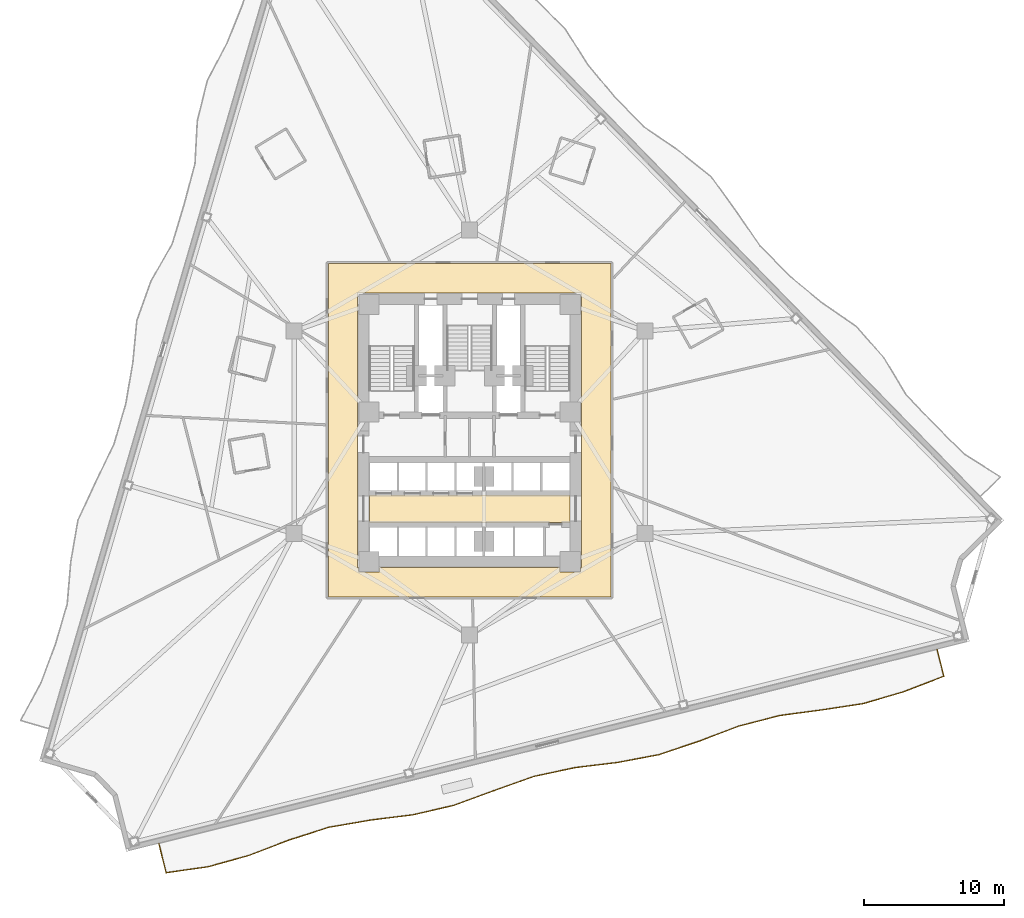
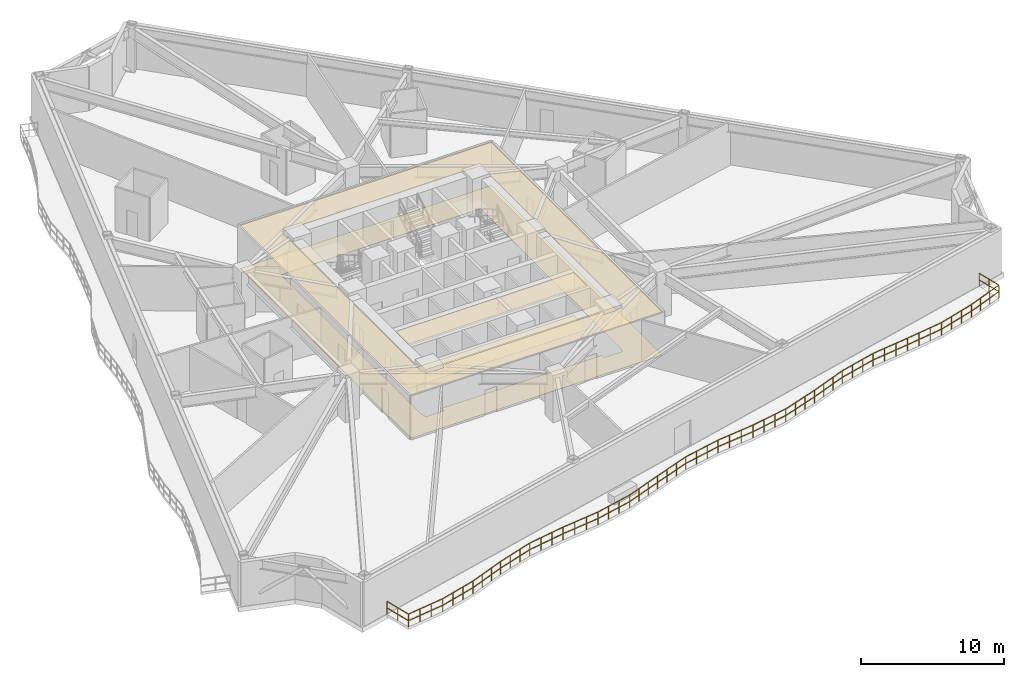
# One storey, part 10 of 13: 4 coverings, 1 railing.
"""IFC4 building model written with IfcOpenShell, lengths in metres."""

from ifc_helpers import new_model, si_unit, direction, frame, origin, origin_2d, place, context, subcontext, project, spatial, polyline, rectangle, outline, extrude, material, layer, layer_set, type_object, element, save


model = new_model("IFC4")

# Units and contexts
model_context = context("Model", 3, precision=1e-05, world=origin(), true_north=direction((0.0, 1.0)))
body_context = subcontext(model_context, "Body", "Model", "MODEL_VIEW")
ifc_project = project(units=[si_unit("LENGTHUNIT", "METRE"), si_unit("AREAUNIT", "SQUARE_METRE"), si_unit("VOLUMEUNIT", "CUBIC_METRE"), si_unit("PLANEANGLEUNIT", "RADIAN"), si_unit("MASSUNIT", "GRAM", prefix="KILO")], contexts=[model_context])

# Site, building, storey
site_placement = place(None, origin())
site = spatial("IfcSite", under=ifc_project, at=site_placement, CompositionType="ELEMENT")
building_placement = place(site_placement, origin())
building = spatial("IfcBuilding", under=site, at=building_placement, Name="Apsidion Concourse Tower", CompositionType="ELEMENT")
storey_placement = place(building_placement, frame((0.0, 0.0, 95.0)))
storey = spatial("IfcBuildingStorey", under=building, at=storey_placement, Name="L21", CompositionType="ELEMENT", Elevation=95.0)

# Coverings
ifc_material_1 = material(Name="Acoustic mineral fibre ceiling")
ifc_layer_1 = layer(ifc_material_1, 0.0400390625)
ifc_layer_set_1 = layer_set([ifc_layer_1], Name="Acoustic mineral fibre ceiling")
covering_type_1 = type_object("IfcCoveringType", Name="COV-CEIL-40", PredefinedType="CEILING", material=ifc_layer_set_1)
covering_1_placement = place(storey_placement, frame((0.0, 0.0, 3.64990234375)))
element("IfcCovering", 1, at=covering_1_placement, inside=storey, type_object=covering_type_1, Name="L21 Acoustic Ceiling Grid 1", PredefinedType="CEILING", context=body_context, shape_type="SweptSolid", body=[
    extrude(outline(polyline([(-7.179931640625, -6.449951171875), (-7.179931640625, -4.47998046875), (7.179931640625, -4.47998046875), (7.179931640625, -6.449951171875), (-7.179931640625, -6.449951171875)])), origin(), (0.0, 0.0, 1.0), 0.0400390625),
])
covering_2_placement = place(storey_placement, frame((0.0, 0.0, 3.64990234375)))
element("IfcCovering", 2, at=covering_2_placement, inside=storey, type_object=covering_type_1, Name="L21 Acoustic Ceiling Grid 2", PredefinedType="CEILING", context=body_context, shape_type="SweptSolid", body=[
    extrude(outline(polyline([(10.1201171875, 12.070068359375), (10.1201171875, -11.77001953125), (-10.1201171875, -11.77001953125), (-10.1201171875, 12.070068359375), (10.1201171875, 12.070068359375)]), holes=[polyline([(-8.02001953125, -9.669921875), (-7.945068359375, -9.669921875), (-7.945068359375, -9.97509765625), (-7.94482421875, -9.97705078125), (-7.944580078125, -9.97900390625), (-7.944091796875, -9.980712890625), (-7.943603515625, -9.982666015625), (-7.942626953125, -9.984375), (-7.941650390625, -9.986083984375), (-7.9404296875, -9.98779296875), (-7.939208984375, -9.989013671875), (-7.937744140625, -9.990478515625), (-7.93603515625, -9.99169921875), (-7.934326171875, -9.99267578125), (-7.9326171875, -9.993408203125), (-7.930908203125, -9.994140625), (-7.928955078125, -9.99462890625), (-7.927001953125, -9.994873046875), (-7.925048828125, -9.9951171875), (-6.47509765625, -9.9951171875), (-6.472900390625, -9.994873046875), (-6.47119140625, -9.99462890625), (-6.46923828125, -9.994140625), (-6.46728515625, -9.993408203125), (-6.465576171875, -9.99267578125), (-6.4638671875, -9.99169921875), (-6.46240234375, -9.990478515625), (-6.4609375, -9.989013671875), (-6.45947265625, -9.98779296875), (-6.45849609375, -9.986083984375), (-6.45751953125, -9.984375), (-6.45654296875, -9.982666015625), (-6.455810546875, -9.980712890625), (-6.455322265625, -9.97900390625), (-6.455078125, -9.97705078125), (-6.455078125, -9.97509765625), (-6.455078125, -9.669921875), (6.455078125, -9.669921875), (6.455078125, -9.97509765625), (6.455078125, -9.97705078125), (6.455322265625, -9.97900390625), (6.455810546875, -9.980712890625), (6.45654296875, -9.982666015625), (6.45751953125, -9.984375), (6.45849609375, -9.986083984375), (6.45947265625, -9.98779296875), (6.4609375, -9.989013671875), (6.46240234375, -9.990478515625), (6.4638671875, -9.99169921875), (6.465576171875, -9.99267578125), (6.46728515625, -9.993408203125), (6.46923828125, -9.994140625), (6.47119140625, -9.99462890625), (6.472900390625, -9.994873046875), (6.47509765625, -9.9951171875), (7.925048828125, -9.9951171875), (7.927001953125, -9.994873046875), (7.928955078125, -9.99462890625), (7.930908203125, -9.994140625), (7.9326171875, -9.993408203125), (7.934326171875, -9.99267578125), (7.93603515625, -9.99169921875), (7.937744140625, -9.990478515625), (7.939208984375, -9.989013671875), (7.9404296875, -9.98779296875), (7.941650390625, -9.986083984375), (7.942626953125, -9.984375), (7.943603515625, -9.982666015625), (7.944091796875, -9.980712890625), (7.944580078125, -9.97900390625), (7.94482421875, -9.97705078125), (7.945068359375, -9.97509765625), (7.945068359375, -9.669921875), (8.02001953125, -9.669921875), (8.02001953125, 9.969970703125), (-8.02001953125, 9.969970703125), (-8.02001953125, -9.669921875)])]), origin(), (0.0, 0.0, 1.0), 0.0400390625),
])
ifc_material_2 = material(Name="Honed travertine floor finish", Category="masonry")
ifc_layer_2 = layer(ifc_material_2, 0.02001953125)
ifc_layer_set_2 = layer_set([ifc_layer_2], Name="Honed travertine floor finish")
covering_type_2 = type_object("IfcCoveringType", Name="COV-FLOR-20", PredefinedType="FLOORING", material=ifc_layer_set_2)
covering_3_placement = place(storey_placement, origin())
element("IfcCovering", 3, at=covering_3_placement, inside=storey, type_object=covering_type_2, Name="L21 Honed Travertine Floor Finish 1", PredefinedType="FLOORING", context=body_context, shape_type="SweptSolid", body=[
    extrude(outline(polyline([(-7.179931640625, -6.449951171875), (-7.179931640625, -4.47998046875), (7.179931640625, -4.47998046875), (7.179931640625, -6.449951171875), (-7.179931640625, -6.449951171875)])), origin(), (0.0, 0.0, 1.0), 0.02001953125),
])
covering_4_placement = place(storey_placement, origin())
element("IfcCovering", 4, at=covering_4_placement, inside=storey, type_object=covering_type_2, Name="L21 Honed Travertine Floor Finish 2", PredefinedType="FLOORING", context=body_context, shape_type="SweptSolid", body=[
    extrude(outline(polyline([(10.1201171875, 12.070068359375), (10.1201171875, -11.77001953125), (-10.1201171875, -11.77001953125), (-10.1201171875, 12.070068359375), (10.1201171875, 12.070068359375)]), holes=[polyline([(-8.02001953125, -9.669921875), (-7.945068359375, -9.669921875), (-7.945068359375, -9.97509765625), (-7.94482421875, -9.97705078125), (-7.944580078125, -9.97900390625), (-7.944091796875, -9.980712890625), (-7.943603515625, -9.982666015625), (-7.942626953125, -9.984375), (-7.941650390625, -9.986083984375), (-7.9404296875, -9.98779296875), (-7.939208984375, -9.989013671875), (-7.937744140625, -9.990478515625), (-7.93603515625, -9.99169921875), (-7.934326171875, -9.99267578125), (-7.9326171875, -9.993408203125), (-7.930908203125, -9.994140625), (-7.928955078125, -9.99462890625), (-7.927001953125, -9.994873046875), (-7.925048828125, -9.9951171875), (-6.47509765625, -9.9951171875), (-6.472900390625, -9.994873046875), (-6.47119140625, -9.99462890625), (-6.46923828125, -9.994140625), (-6.46728515625, -9.993408203125), (-6.465576171875, -9.99267578125), (-6.4638671875, -9.99169921875), (-6.46240234375, -9.990478515625), (-6.4609375, -9.989013671875), (-6.45947265625, -9.98779296875), (-6.45849609375, -9.986083984375), (-6.45751953125, -9.984375), (-6.45654296875, -9.982666015625), (-6.455810546875, -9.980712890625), (-6.455322265625, -9.97900390625), (-6.455078125, -9.97705078125), (-6.455078125, -9.97509765625), (-6.455078125, -9.669921875), (6.455078125, -9.669921875), (6.455078125, -9.97509765625), (6.455078125, -9.97705078125), (6.455322265625, -9.97900390625), (6.455810546875, -9.980712890625), (6.45654296875, -9.982666015625), (6.45751953125, -9.984375), (6.45849609375, -9.986083984375), (6.45947265625, -9.98779296875), (6.4609375, -9.989013671875), (6.46240234375, -9.990478515625), (6.4638671875, -9.99169921875), (6.465576171875, -9.99267578125), (6.46728515625, -9.993408203125), (6.46923828125, -9.994140625), (6.47119140625, -9.99462890625), (6.472900390625, -9.994873046875), (6.47509765625, -9.9951171875), (7.925048828125, -9.9951171875), (7.927001953125, -9.994873046875), (7.928955078125, -9.99462890625), (7.930908203125, -9.994140625), (7.9326171875, -9.993408203125), (7.934326171875, -9.99267578125), (7.93603515625, -9.99169921875), (7.937744140625, -9.990478515625), (7.939208984375, -9.989013671875), (7.9404296875, -9.98779296875), (7.941650390625, -9.986083984375), (7.942626953125, -9.984375), (7.943603515625, -9.982666015625), (7.944091796875, -9.980712890625), (7.944580078125, -9.97900390625), (7.94482421875, -9.97705078125), (7.945068359375, -9.97509765625), (7.945068359375, -9.669921875), (8.02001953125, -9.669921875), (8.02001953125, 9.969970703125), (-8.02001953125, 9.969970703125), (-8.02001953125, -9.669921875)])]), origin(), (0.0, 0.0, 1.0), 0.02001953125),
])

# Railing
ifc_material_3 = material(Name="Brushed stainless steel 316", Category="steel")
railing_type = type_object("IfcRailingType", Name="RL-BAL-1120", PredefinedType="BALUSTRADE", material=ifc_material_3)
railing_placement = place(storey_placement, frame((33.4599609375, -15.544677734375, 0.0)))
element("IfcRailing", 5, at=railing_placement, inside=storey, type_object=railing_type, Name="L21 Face 2 Spiral Terrace Balustrade", PredefinedType="BALUSTRADE", context=body_context, shape_type="SweptSolid", body=[
    extrude(rectangle(XDim=0.048095703125, YDim=0.048095703125, at=origin_2d()), frame((0.0, 0.0, 1.09619140625), z_axis=(0.241894752743, -0.970302493347, 0.0), x_axis=(0.970302493347, 0.241894752743, 0.0)), (0.0, 0.0, 1.0), 1.97216796875),
    extrude(rectangle(XDim=0.048095703125, YDim=0.048095703125, at=origin_2d()), frame((0.0, 0.0, 0.5361328125), z_axis=(0.241894752743, -0.970302493347, 0.0), x_axis=(0.970302493347, 0.241894752743, 0.0)), (0.0, 0.0, 1.0), 1.97216796875),
    extrude(rectangle(XDim=0.048095703125, YDim=0.048095703125, at=origin_2d()), frame((0.47705078125, -1.91357421875, 1.09619140625), z_axis=(-0.932807322414, -0.360375497572, 0.0), x_axis=(0.360375497572, -0.932807322414, 0.0)), (0.0, 0.0, 1.0), 3.045166015625),
    extrude(rectangle(XDim=0.048095703125, YDim=0.048095703125, at=origin_2d()), frame((0.47705078125, -1.91357421875, 0.5361328125), z_axis=(-0.932807322414, -0.360375497572, 0.0), x_axis=(0.360375497572, -0.932807322414, 0.0)), (0.0, 0.0, 1.0), 3.045166015625),
    extrude(rectangle(XDim=0.048095703125, YDim=0.048095703125, at=origin_2d()), frame((-2.363525390625, -3.010986328125, 1.09619140625), z_axis=(-0.959205949947, -0.282708234027, 0.0), x_axis=(0.282708234027, -0.959205949947, 0.0)), (0.0, 0.0, 1.0), 3.024169921875),
    extrude(rectangle(XDim=0.048095703125, YDim=0.048095703125, at=origin_2d()), frame((-2.363525390625, -3.010986328125, 0.5361328125), z_axis=(-0.959205949947, -0.282708234027, 0.0), x_axis=(0.282708234027, -0.959205949947, 0.0)), (0.0, 0.0, 1.0), 3.024169921875),
    extrude(rectangle(XDim=0.048095703125, YDim=0.048095703125, at=origin_2d()), frame((-5.264404296875, -3.865966796875, 1.09619140625), z_axis=(-0.988569883388, -0.150763343219, 0.0), x_axis=(0.150763343219, -0.988569883388, 0.0)), (0.0, 0.0, 1.0), 3.03466796875),
    extrude(rectangle(XDim=0.048095703125, YDim=0.048095703125, at=origin_2d()), frame((-5.264404296875, -3.865966796875, 0.5361328125), z_axis=(-0.988569883388, -0.150763343219, 0.0), x_axis=(0.150763343219, -0.988569883388, 0.0)), (0.0, 0.0, 1.0), 3.03466796875),
    extrude(rectangle(XDim=0.048095703125, YDim=0.048095703125, at=origin_2d()), frame((-8.264404296875, -4.323486328125, 1.09619140625), z_axis=(-0.991227900683, -0.132163720091, 0.0), x_axis=(0.132163720091, -0.991227900683, 0.0)), (0.0, 0.0, 1.0), 3.04052734375),
    extrude(rectangle(XDim=0.048095703125, YDim=0.048095703125, at=origin_2d()), frame((-8.264404296875, -4.323486328125, 0.5361328125), z_axis=(-0.991227900683, -0.132163720091, 0.0), x_axis=(0.132163720091, -0.991227900683, 0.0)), (0.0, 0.0, 1.0), 3.04052734375),
    extrude(rectangle(XDim=0.048095703125, YDim=0.048095703125, at=origin_2d()), frame((-11.2783203125, -4.725341796875, 1.09619140625), z_axis=(-0.968044856976, -0.250777101991, 0.0), x_axis=(0.250777101991, -0.968044856976, 0.0)), (0.0, 0.0, 1.0), 3.02197265625),
    extrude(rectangle(XDim=0.048095703125, YDim=0.048095703125, at=origin_2d()), frame((-11.2783203125, -4.725341796875, 0.5361328125), z_axis=(-0.968044856976, -0.250777101991, 0.0), x_axis=(0.250777101991, -0.968044856976, 0.0)), (0.0, 0.0, 1.0), 3.02197265625),
    extrude(rectangle(XDim=0.048095703125, YDim=0.048095703125, at=origin_2d()), frame((-14.20361328125, -5.483154296875, 1.09619140625), z_axis=(-0.934857089717, -0.355024255235, 0.0), x_axis=(0.355024255235, -0.934857089717, 0.0)), (0.0, 0.0, 1.0), 3.04296875),
    extrude(rectangle(XDim=0.048095703125, YDim=0.048095703125, at=origin_2d()), frame((-14.20361328125, -5.483154296875, 0.5361328125), z_axis=(-0.934857089717, -0.355024255235, 0.0), x_axis=(0.355024255235, -0.934857089717, 0.0)), (0.0, 0.0, 1.0), 3.04296875),
    extrude(rectangle(XDim=0.048095703125, YDim=0.048095703125, at=origin_2d()), frame((-17.04833984375, -6.5634765625, 1.09619140625), z_axis=(-0.947882929868, -0.318618818129, 0.0), x_axis=(0.318618818129, -0.947882929868, 0.0)), (0.0, 0.0, 1.0), 3.03125),
    extrude(rectangle(XDim=0.048095703125, YDim=0.048095703125, at=origin_2d()), frame((-17.04833984375, -6.5634765625, 0.5361328125), z_axis=(-0.947882929868, -0.318618818129, 0.0), x_axis=(0.318618818129, -0.947882929868, 0.0)), (0.0, 0.0, 1.0), 3.03125),
    extrude(rectangle(XDim=0.048095703125, YDim=0.048095703125, at=origin_2d()), frame((-19.921630859375, -7.529296875, 1.09619140625), z_axis=(-0.982870360719, -0.184298274597, 0.0), x_axis=(0.184298274597, -0.982870360719, 0.0)), (0.0, 0.0, 1.0), 3.02685546875),
    extrude(rectangle(XDim=0.048095703125, YDim=0.048095703125, at=origin_2d()), frame((-19.921630859375, -7.529296875, 0.5361328125), z_axis=(-0.982870360719, -0.184298274597, 0.0), x_axis=(0.184298274597, -0.982870360719, 0.0)), (0.0, 0.0, 1.0), 3.02685546875),
    extrude(rectangle(XDim=0.048095703125, YDim=0.048095703125, at=origin_2d()), frame((-22.896728515625, -8.087158203125, 1.09619140625), z_axis=(-0.992731169541, -0.120352918624, 0.0), x_axis=(0.120352918624, -0.992731169541, 0.0)), (0.0, 0.0, 1.0), 3.044921875),
    extrude(rectangle(XDim=0.048095703125, YDim=0.048095703125, at=origin_2d()), frame((-22.896728515625, -8.087158203125, 0.5361328125), z_axis=(-0.992731169541, -0.120352918624, 0.0), x_axis=(0.120352918624, -0.992731169541, 0.0)), (0.0, 0.0, 1.0), 3.044921875),
    extrude(rectangle(XDim=0.048095703125, YDim=0.048095703125, at=origin_2d()), frame((-25.91943359375, -8.45361328125, 1.09619140625), z_axis=(-0.978007552708, -0.208569477266, 0.0), x_axis=(0.208569477266, -0.978007552708, 0.0)), (0.0, 0.0, 1.0), 3.0234375),
    extrude(rectangle(XDim=0.048095703125, YDim=0.048095703125, at=origin_2d()), frame((-25.91943359375, -8.45361328125, 0.5361328125), z_axis=(-0.978007552708, -0.208569477266, 0.0), x_axis=(0.208569477266, -0.978007552708, 0.0)), (0.0, 0.0, 1.0), 3.0234375),
    extrude(rectangle(XDim=0.048095703125, YDim=0.048095703125, at=origin_2d()), frame((-28.87646484375, -9.084228515625, 1.09619140625), z_axis=(-0.941823747469, -0.336107168481, 0.0), x_axis=(0.336107168481, -0.941823747469, 0.0)), (0.0, 0.0, 1.0), 3.036376953125),
    extrude(rectangle(XDim=0.048095703125, YDim=0.048095703125, at=origin_2d()), frame((-28.87646484375, -9.084228515625, 0.5361328125), z_axis=(-0.941823747469, -0.336107168481, 0.0), x_axis=(0.336107168481, -0.941823747469, 0.0)), (0.0, 0.0, 1.0), 3.036376953125),
    extrude(rectangle(XDim=0.048095703125, YDim=0.048095703125, at=origin_2d()), frame((-31.736083984375, -10.104736328125, 1.09619140625), z_axis=(-0.938629427107, -0.344927236628, 0.0), x_axis=(0.344927236628, -0.938629427107, 0.0)), (0.0, 0.0, 1.0), 3.039306640625),
    extrude(rectangle(XDim=0.048095703125, YDim=0.048095703125, at=origin_2d()), frame((-31.736083984375, -10.104736328125, 0.5361328125), z_axis=(-0.938629427107, -0.344927236628, 0.0), x_axis=(0.344927236628, -0.938629427107, 0.0)), (0.0, 0.0, 1.0), 3.039306640625),
    extrude(rectangle(XDim=0.048095703125, YDim=0.048095703125, at=origin_2d()), frame((-34.5888671875, -11.153076171875, 1.09619140625), z_axis=(-0.974396641861, -0.224835905339, 0.0), x_axis=(0.224835905339, -0.974396641861, 0.0)), (0.0, 0.0, 1.0), 3.02197265625),
    extrude(rectangle(XDim=0.048095703125, YDim=0.048095703125, at=origin_2d()), frame((-34.5888671875, -11.153076171875, 0.5361328125), z_axis=(-0.974396641861, -0.224835905339, 0.0), x_axis=(0.224835905339, -0.974396641861, 0.0)), (0.0, 0.0, 1.0), 3.02197265625),
    extrude(rectangle(XDim=0.048095703125, YDim=0.048095703125, at=origin_2d()), frame((-37.533447265625, -11.83251953125, 1.09619140625), z_axis=(-0.992382406042, -0.123195617529, 0.0), x_axis=(0.123195617529, -0.992382406042, 0.0)), (0.0, 0.0, 1.0), 3.0439453125),
    extrude(rectangle(XDim=0.048095703125, YDim=0.048095703125, at=origin_2d()), frame((-37.533447265625, -11.83251953125, 0.5361328125), z_axis=(-0.992382406042, -0.123195617529, 0.0), x_axis=(0.123195617529, -0.992382406042, 0.0)), (0.0, 0.0, 1.0), 3.0439453125),
    extrude(rectangle(XDim=0.048095703125, YDim=0.048095703125, at=origin_2d()), frame((-40.55419921875, -12.20751953125, 1.09619140625), z_axis=(-0.9854098225, -0.170198359922, 0.0), x_axis=(0.170198359922, -0.9854098225, 0.0)), (0.0, 0.0, 1.0), 3.029541015625),
    extrude(rectangle(XDim=0.048095703125, YDim=0.048095703125, at=origin_2d()), frame((-40.55419921875, -12.20751953125, 0.5361328125), z_axis=(-0.9854098225, -0.170198359922, 0.0), x_axis=(0.170198359922, -0.9854098225, 0.0)), (0.0, 0.0, 1.0), 3.029541015625),
    extrude(rectangle(XDim=0.048095703125, YDim=0.048095703125, at=origin_2d()), frame((-43.53955078125, -12.72314453125, 1.09619140625), z_axis=(-0.952131674431, -0.305688198243, 0.0), x_axis=(0.305688198243, -0.952131674431, 0.0)), (0.0, 0.0, 1.0), 3.028564453125),
    extrude(rectangle(XDim=0.048095703125, YDim=0.048095703125, at=origin_2d()), frame((-43.53955078125, -12.72314453125, 0.5361328125), z_axis=(-0.952131674431, -0.305688198243, 0.0), x_axis=(0.305688198243, -0.952131674431, 0.0)), (0.0, 0.0, 1.0), 3.028564453125),
    extrude(rectangle(XDim=0.048095703125, YDim=0.048095703125, at=origin_2d()), frame((-46.423095703125, -13.64892578125, 1.09619140625), z_axis=(-0.933450974794, -0.358705000881, 0.0), x_axis=(0.358705000881, -0.933450974794, 0.0)), (0.0, 0.0, 1.0), 3.04443359375),
    extrude(rectangle(XDim=0.048095703125, YDim=0.048095703125, at=origin_2d()), frame((-46.423095703125, -13.64892578125, 0.5361328125), z_axis=(-0.933450974794, -0.358705000881, 0.0), x_axis=(0.358705000881, -0.933450974794, 0.0)), (0.0, 0.0, 1.0), 3.04443359375),
    extrude(rectangle(XDim=0.048095703125, YDim=0.048095703125, at=origin_2d()), frame((-49.264892578125, -14.740966796875, 1.09619140625), z_axis=(-0.96368782173, -0.267031425584, 0.0), x_axis=(0.267031425584, -0.96368782173, 0.0)), (0.0, 0.0, 1.0), 3.022705078125),
    extrude(rectangle(XDim=0.048095703125, YDim=0.048095703125, at=origin_2d()), frame((-49.264892578125, -14.740966796875, 0.5361328125), z_axis=(-0.96368782173, -0.267031425584, 0.0), x_axis=(0.267031425584, -0.96368782173, 0.0)), (0.0, 0.0, 1.0), 3.022705078125),
    extrude(rectangle(XDim=0.048095703125, YDim=0.048095703125, at=origin_2d()), frame((-52.177734375, -15.548095703125, 1.09619140625), z_axis=(-0.990084054001, -0.140476211558, 0.0), x_axis=(0.140476211558, -0.990084054001, 0.0)), (0.0, 0.0, 1.0), 3.037841796875),
    extrude(rectangle(XDim=0.048095703125, YDim=0.048095703125, at=origin_2d()), frame((-52.177734375, -15.548095703125, 0.5361328125), z_axis=(-0.990084054001, -0.140476211558, 0.0), x_axis=(0.140476211558, -0.990084054001, 0.0)), (0.0, 0.0, 1.0), 3.037841796875),
    extrude(rectangle(XDim=0.048095703125, YDim=0.048095703125, at=origin_2d()), frame((-55.185546875, -15.974853515625, 1.09619140625), z_axis=(-0.241894261657, 0.970302615774, 0.0), x_axis=(-0.970302615774, -0.241894261657, 0.0)), (0.0, 0.0, 1.0), 2.14990234375),
    extrude(rectangle(XDim=0.048095703125, YDim=0.048095703125, at=origin_2d()), frame((-55.185546875, -15.974853515625, 0.5361328125), z_axis=(-0.241894261657, 0.970302615774, 0.0), x_axis=(-0.970302615774, -0.241894261657, 0.0)), (0.0, 0.0, 1.0), 2.14990234375),
    extrude(rectangle(XDim=0.0419921875, YDim=0.0419921875, at=origin_2d()), origin(), (0.0, 0.0, 1.0), 1.072021484375),
    extrude(rectangle(XDim=0.0419921875, YDim=0.0419921875, at=origin_2d()), frame((0.238525390625, -0.956787109375, 0.0)), (0.0, 0.0, 1.0), 1.072021484375),
    extrude(rectangle(XDim=0.0419921875, YDim=0.0419921875, at=origin_2d()), frame((0.47705078125, -1.91357421875, 0.0)), (0.0, 0.0, 1.0), 1.072021484375),
    extrude(rectangle(XDim=0.0419921875, YDim=0.0419921875, at=origin_2d()), frame((-0.4697265625, -2.279296875, 0.0)), (0.0, 0.0, 1.0), 1.072021484375),
    extrude(rectangle(XDim=0.0419921875, YDim=0.0419921875, at=origin_2d()), frame((-1.416748046875, -2.645263671875, 0.0)), (0.0, 0.0, 1.0), 1.072021484375),
    extrude(rectangle(XDim=0.0419921875, YDim=0.0419921875, at=origin_2d()), frame((-2.363525390625, -3.010986328125, 0.0)), (0.0, 0.0, 1.0), 1.072021484375),
    extrude(rectangle(XDim=0.0419921875, YDim=0.0419921875, at=origin_2d()), frame((-3.33056640625, -3.2958984375, 0.0)), (0.0, 0.0, 1.0), 1.072021484375),
    extrude(rectangle(XDim=0.0419921875, YDim=0.0419921875, at=origin_2d()), frame((-4.29736328125, -3.5810546875, 0.0)), (0.0, 0.0, 1.0), 1.072021484375),
    extrude(rectangle(XDim=0.0419921875, YDim=0.0419921875, at=origin_2d()), frame((-5.264404296875, -3.865966796875, 0.0)), (0.0, 0.0, 1.0), 1.072021484375),
    extrude(rectangle(XDim=0.0419921875, YDim=0.0419921875, at=origin_2d()), frame((-6.264404296875, -4.0185546875, 0.0)), (0.0, 0.0, 1.0), 1.072021484375),
    extrude(rectangle(XDim=0.0419921875, YDim=0.0419921875, at=origin_2d()), frame((-7.264404296875, -4.1708984375, 0.0)), (0.0, 0.0, 1.0), 1.072021484375),
    extrude(rectangle(XDim=0.0419921875, YDim=0.0419921875, at=origin_2d()), frame((-8.264404296875, -4.323486328125, 0.0)), (0.0, 0.0, 1.0), 1.072021484375),
    extrude(rectangle(XDim=0.0419921875, YDim=0.0419921875, at=origin_2d()), frame((-9.26904296875, -4.45751953125, 0.0)), (0.0, 0.0, 1.0), 1.072021484375),
    extrude(rectangle(XDim=0.0419921875, YDim=0.0419921875, at=origin_2d()), frame((-10.273681640625, -4.59130859375, 0.0)), (0.0, 0.0, 1.0), 1.072021484375),
    extrude(rectangle(XDim=0.0419921875, YDim=0.0419921875, at=origin_2d()), frame((-11.2783203125, -4.725341796875, 0.0)), (0.0, 0.0, 1.0), 1.072021484375),
    extrude(rectangle(XDim=0.0419921875, YDim=0.0419921875, at=origin_2d()), frame((-12.25341796875, -4.97802734375, 0.0)), (0.0, 0.0, 1.0), 1.072021484375),
    extrude(rectangle(XDim=0.0419921875, YDim=0.0419921875, at=origin_2d()), frame((-13.228515625, -5.23046875, 0.0)), (0.0, 0.0, 1.0), 1.072021484375),
    extrude(rectangle(XDim=0.0419921875, YDim=0.0419921875, at=origin_2d()), frame((-14.20361328125, -5.483154296875, 0.0)), (0.0, 0.0, 1.0), 1.072021484375),
    extrude(rectangle(XDim=0.0419921875, YDim=0.0419921875, at=origin_2d()), frame((-15.15185546875, -5.84326171875, 0.0)), (0.0, 0.0, 1.0), 1.072021484375),
    extrude(rectangle(XDim=0.0419921875, YDim=0.0419921875, at=origin_2d()), frame((-16.10009765625, -6.203369140625, 0.0)), (0.0, 0.0, 1.0), 1.072021484375),
    extrude(rectangle(XDim=0.0419921875, YDim=0.0419921875, at=origin_2d()), frame((-17.04833984375, -6.5634765625, 0.0)), (0.0, 0.0, 1.0), 1.072021484375),
    extrude(rectangle(XDim=0.0419921875, YDim=0.0419921875, at=origin_2d()), frame((-18.006103515625, -6.885498046875, 0.0)), (0.0, 0.0, 1.0), 1.072021484375),
    extrude(rectangle(XDim=0.0419921875, YDim=0.0419921875, at=origin_2d()), frame((-18.9638671875, -7.207275390625, 0.0)), (0.0, 0.0, 1.0), 1.072021484375),
    extrude(rectangle(XDim=0.0419921875, YDim=0.0419921875, at=origin_2d()), frame((-19.921630859375, -7.529296875, 0.0)), (0.0, 0.0, 1.0), 1.072021484375),
    extrude(rectangle(XDim=0.0419921875, YDim=0.0419921875, at=origin_2d()), frame((-20.913330078125, -7.71533203125, 0.0)), (0.0, 0.0, 1.0), 1.072021484375),
    extrude(rectangle(XDim=0.0419921875, YDim=0.0419921875, at=origin_2d()), frame((-21.905029296875, -7.901123046875, 0.0)), (0.0, 0.0, 1.0), 1.072021484375),
    extrude(rectangle(XDim=0.0419921875, YDim=0.0419921875, at=origin_2d()), frame((-22.896728515625, -8.087158203125, 0.0)), (0.0, 0.0, 1.0), 1.072021484375),
    extrude(rectangle(XDim=0.0419921875, YDim=0.0419921875, at=origin_2d()), frame((-23.904296875, -8.209228515625, 0.0)), (0.0, 0.0, 1.0), 1.072021484375),
    extrude(rectangle(XDim=0.0419921875, YDim=0.0419921875, at=origin_2d()), frame((-24.911865234375, -8.33154296875, 0.0)), (0.0, 0.0, 1.0), 1.072021484375),
    extrude(rectangle(XDim=0.0419921875, YDim=0.0419921875, at=origin_2d()), frame((-25.91943359375, -8.45361328125, 0.0)), (0.0, 0.0, 1.0), 1.072021484375),
    extrude(rectangle(XDim=0.0419921875, YDim=0.0419921875, at=origin_2d()), frame((-26.905029296875, -8.663818359375, 0.0)), (0.0, 0.0, 1.0), 1.072021484375),
    extrude(rectangle(XDim=0.0419921875, YDim=0.0419921875, at=origin_2d()), frame((-27.890869140625, -8.8740234375, 0.0)), (0.0, 0.0, 1.0), 1.072021484375),
    extrude(rectangle(XDim=0.0419921875, YDim=0.0419921875, at=origin_2d()), frame((-28.87646484375, -9.084228515625, 0.0)), (0.0, 0.0, 1.0), 1.072021484375),
    extrude(rectangle(XDim=0.0419921875, YDim=0.0419921875, at=origin_2d()), frame((-29.82958984375, -9.42431640625, 0.0)), (0.0, 0.0, 1.0), 1.072021484375),
    extrude(rectangle(XDim=0.0419921875, YDim=0.0419921875, at=origin_2d()), frame((-30.782958984375, -9.7646484375, 0.0)), (0.0, 0.0, 1.0), 1.072021484375),
    extrude(rectangle(XDim=0.0419921875, YDim=0.0419921875, at=origin_2d()), frame((-31.736083984375, -10.104736328125, 0.0)), (0.0, 0.0, 1.0), 1.072021484375),
    extrude(rectangle(XDim=0.0419921875, YDim=0.0419921875, at=origin_2d()), frame((-32.68701171875, -10.4541015625, 0.0)), (0.0, 0.0, 1.0), 1.072021484375),
    extrude(rectangle(XDim=0.0419921875, YDim=0.0419921875, at=origin_2d()), frame((-33.637939453125, -10.8037109375, 0.0)), (0.0, 0.0, 1.0), 1.072021484375),
    extrude(rectangle(XDim=0.0419921875, YDim=0.0419921875, at=origin_2d()), frame((-34.5888671875, -11.153076171875, 0.0)), (0.0, 0.0, 1.0), 1.072021484375),
    extrude(rectangle(XDim=0.0419921875, YDim=0.0419921875, at=origin_2d()), frame((-35.5703125, -11.379638671875, 0.0)), (0.0, 0.0, 1.0), 1.072021484375),
    extrude(rectangle(XDim=0.0419921875, YDim=0.0419921875, at=origin_2d()), frame((-36.552001953125, -11.60595703125, 0.0)), (0.0, 0.0, 1.0), 1.072021484375),
    extrude(rectangle(XDim=0.0419921875, YDim=0.0419921875, at=origin_2d()), frame((-37.533447265625, -11.83251953125, 0.0)), (0.0, 0.0, 1.0), 1.072021484375),
    extrude(rectangle(XDim=0.0419921875, YDim=0.0419921875, at=origin_2d()), frame((-38.540283203125, -11.95751953125, 0.0)), (0.0, 0.0, 1.0), 1.072021484375),
    extrude(rectangle(XDim=0.0419921875, YDim=0.0419921875, at=origin_2d()), frame((-39.54736328125, -12.08251953125, 0.0)), (0.0, 0.0, 1.0), 1.072021484375),
    extrude(rectangle(XDim=0.0419921875, YDim=0.0419921875, at=origin_2d()), frame((-40.55419921875, -12.20751953125, 0.0)), (0.0, 0.0, 1.0), 1.072021484375),
    extrude(rectangle(XDim=0.0419921875, YDim=0.0419921875, at=origin_2d()), frame((-41.54931640625, -12.37939453125, 0.0)), (0.0, 0.0, 1.0), 1.072021484375),
    extrude(rectangle(XDim=0.0419921875, YDim=0.0419921875, at=origin_2d()), frame((-42.54443359375, -12.55126953125, 0.0)), (0.0, 0.0, 1.0), 1.072021484375),
    extrude(rectangle(XDim=0.0419921875, YDim=0.0419921875, at=origin_2d()), frame((-43.53955078125, -12.72314453125, 0.0)), (0.0, 0.0, 1.0), 1.072021484375),
    extrude(rectangle(XDim=0.0419921875, YDim=0.0419921875, at=origin_2d()), frame((-44.500732421875, -13.03173828125, 0.0)), (0.0, 0.0, 1.0), 1.072021484375),
    extrude(rectangle(XDim=0.0419921875, YDim=0.0419921875, at=origin_2d()), frame((-45.4619140625, -13.34033203125, 0.0)), (0.0, 0.0, 1.0), 1.072021484375),
    extrude(rectangle(XDim=0.0419921875, YDim=0.0419921875, at=origin_2d()), frame((-46.423095703125, -13.64892578125, 0.0)), (0.0, 0.0, 1.0), 1.072021484375),
    extrude(rectangle(XDim=0.0419921875, YDim=0.0419921875, at=origin_2d()), frame((-47.370361328125, -14.012939453125, 0.0)), (0.0, 0.0, 1.0), 1.072021484375),
    extrude(rectangle(XDim=0.0419921875, YDim=0.0419921875, at=origin_2d()), frame((-48.317626953125, -14.376953125, 0.0)), (0.0, 0.0, 1.0), 1.072021484375),
    extrude(rectangle(XDim=0.0419921875, YDim=0.0419921875, at=origin_2d()), frame((-49.264892578125, -14.740966796875, 0.0)), (0.0, 0.0, 1.0), 1.072021484375),
    extrude(rectangle(XDim=0.0419921875, YDim=0.0419921875, at=origin_2d()), frame((-50.23583984375, -15.010009765625, 0.0)), (0.0, 0.0, 1.0), 1.072021484375),
    extrude(rectangle(XDim=0.0419921875, YDim=0.0419921875, at=origin_2d()), frame((-51.206787109375, -15.279052734375, 0.0)), (0.0, 0.0, 1.0), 1.072021484375),
    extrude(rectangle(XDim=0.0419921875, YDim=0.0419921875, at=origin_2d()), frame((-52.177734375, -15.548095703125, 0.0)), (0.0, 0.0, 1.0), 1.072021484375),
    extrude(rectangle(XDim=0.0419921875, YDim=0.0419921875, at=origin_2d()), frame((-53.180419921875, -15.6904296875, 0.0)), (0.0, 0.0, 1.0), 1.072021484375),
    extrude(rectangle(XDim=0.0419921875, YDim=0.0419921875, at=origin_2d()), frame((-54.182861328125, -15.83251953125, 0.0)), (0.0, 0.0, 1.0), 1.072021484375),
    extrude(rectangle(XDim=0.0419921875, YDim=0.0419921875, at=origin_2d()), frame((-55.185546875, -15.974853515625, 0.0)), (0.0, 0.0, 1.0), 1.072021484375),
    extrude(rectangle(XDim=0.0419921875, YDim=0.0419921875, at=origin_2d()), frame((-55.445556640625, -14.931884765625, 0.0)), (0.0, 0.0, 1.0), 1.072021484375),
    extrude(rectangle(XDim=0.0419921875, YDim=0.0419921875, at=origin_2d()), frame((-55.70556640625, -13.888916015625, 0.0)), (0.0, 0.0, 1.0), 1.072021484375),
])

save(model, "model.ifc")
